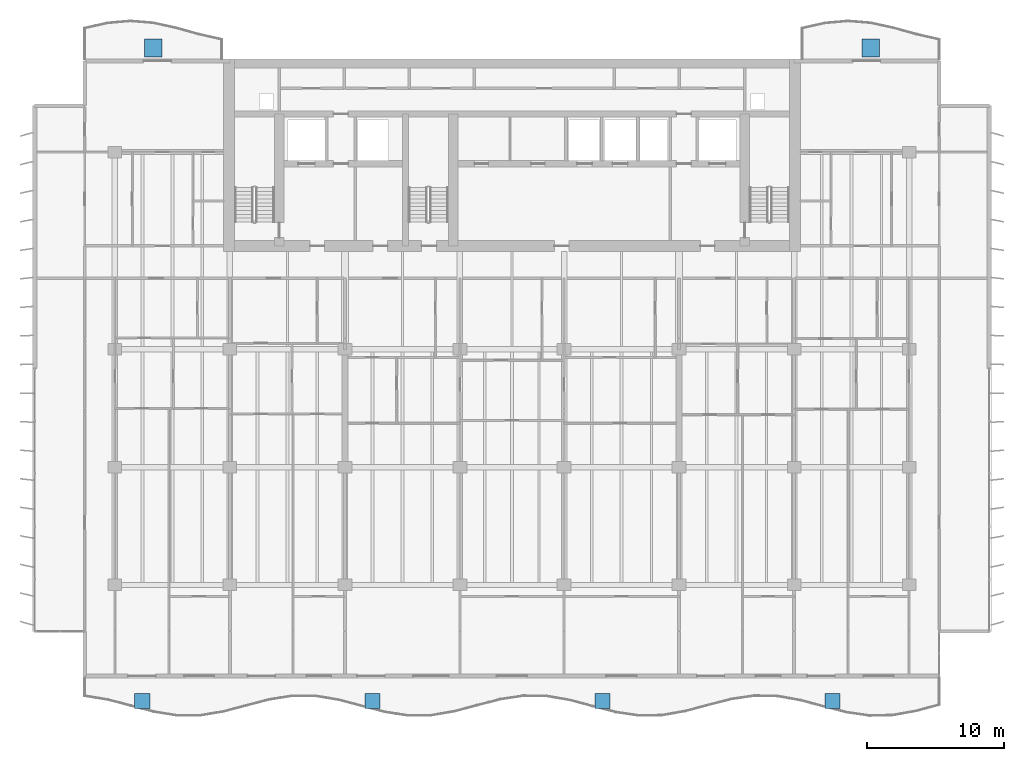
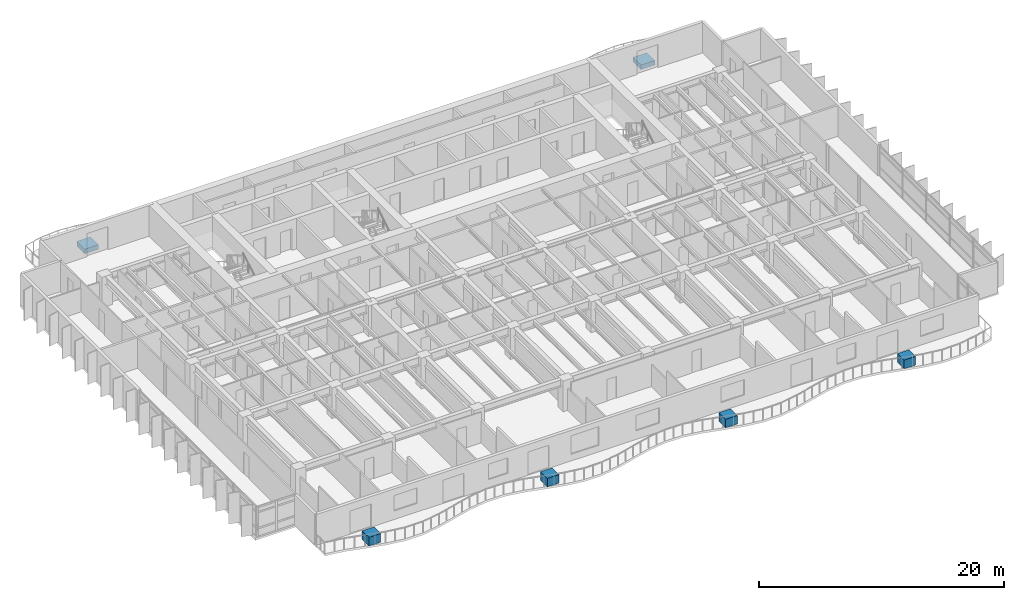
# One storey, part 13 of 17: 6 discrete accessories.
"""IFC4 building model written with IfcOpenShell, lengths in metres."""

from ifc_helpers import new_model, si_unit, direction, frame, origin, origin_2d, place, context, subcontext, project, spatial, rectangle, extrude, material, type_object, element, save


model = new_model("IFC4")

# Units and contexts
model_context = context("Model", 3, precision=1e-05, world=origin(), true_north=direction((0.0, 1.0)))
body_context = subcontext(model_context, "Body", "Model", "MODEL_VIEW")
ifc_project = project(units=[si_unit("LENGTHUNIT", "METRE"), si_unit("AREAUNIT", "SQUARE_METRE"), si_unit("VOLUMEUNIT", "CUBIC_METRE"), si_unit("PLANEANGLEUNIT", "RADIAN"), si_unit("MASSUNIT", "GRAM", prefix="KILO")], contexts=[model_context])

# Site, building, storey
site_placement = place(None, origin())
site = spatial("IfcSite", under=ifc_project, at=site_placement, CompositionType="ELEMENT")
building_placement = place(site_placement, origin())
building = spatial("IfcBuilding", under=site, at=building_placement, Name="Caelmar Bay Residences", CompositionType="ELEMENT")
storey_placement = place(building_placement, frame((0.0, 0.0, 109.199951171875)))
storey = spatial("IfcBuildingStorey", under=building, at=storey_placement, Name="L29", CompositionType="ELEMENT", Elevation=109.199951171875)

# Discrete accessories
ifc_material_1 = material(Name="Architectural bronze GRC planter trough with volcanic-lapilli substrate")
discrete_accessory_type_1 = type_object("IfcDiscreteAccessoryType", Name="ACC-PLANTER-1100", PredefinedType="USERDEFINED", material=ifc_material_1)
for number, where, z_axis, x_axis, name in (
    (1, (11.89990234375, 3.71826171875, 0.0), (0.0, 0.0, 1.0), (1.0, 0.0, 0.0), "L29 Balcony Structural Tree Planter 1"),
    (2, (28.699951171875, 3.71826171875, 0.0), (0.0, 0.0, 1.0), (1.0, 0.0, 0.0), "L29 Balcony Structural Tree Planter 2"),
    (3, (45.5, 3.71826171875, 0.0), (0.0, 0.0, 1.0), (1.0, 0.0, 0.0), "L29 Balcony Structural Tree Planter 3"),
    (4, (62.300048828125, 3.71826171875, 0.0), (0.0, 0.0, 1.0), (1.0, 0.0, 0.0), "L29 Balcony Structural Tree Planter 4"),
):
    element("IfcDiscreteAccessory", number, at=place(storey_placement, frame(where, z_axis=z_axis, x_axis=x_axis)), inside=storey, type_object=discrete_accessory_type_1, Name=name, ObjectType="PLANTER", PredefinedType="USERDEFINED", context=body_context, shape_type="SweptSolid", body=[
        extrude(rectangle(XDim=1.10009765625, YDim=1.10009765625, at=origin_2d()), origin(), (0.0, 0.0, 1.0), 0.85009765625),
    ])
ifc_material_2 = material(Name="Precast concrete f'c 40 MPa (6,000 psi)", Category="concrete")
discrete_accessory_type_2 = type_object("IfcDiscreteAccessoryType", Name="STR-PLANTER-KERB-450", PredefinedType="USERDEFINED", material=ifc_material_2)
for number, where, z_axis, x_axis, name in (
    (5, (12.699951171875, 51.39990234375, 0.0), (0.0, 0.0, 1.0), (1.0, 0.0, 0.0), "L29 north_west Structural Tree Planter Kerb"),
    (6, (65.10009765625, 51.39990234375, 0.0), (0.0, 0.0, 1.0), (1.0, 0.0, 0.0), "L29 north_east Structural Tree Planter Kerb"),
):
    element("IfcDiscreteAccessory", number, at=place(storey_placement, frame(where, z_axis=z_axis, x_axis=x_axis)), inside=storey, type_object=discrete_accessory_type_2, Name=name, ObjectType="PLANTER", PredefinedType="USERDEFINED", context=body_context, shape_type="SweptSolid", body=[
        extrude(rectangle(XDim=1.300048828125, YDim=1.300048828125, at=origin_2d()), origin(), (0.0, 0.0, 1.0), 0.449951171875),
    ])

save(model, "model.ifc")
